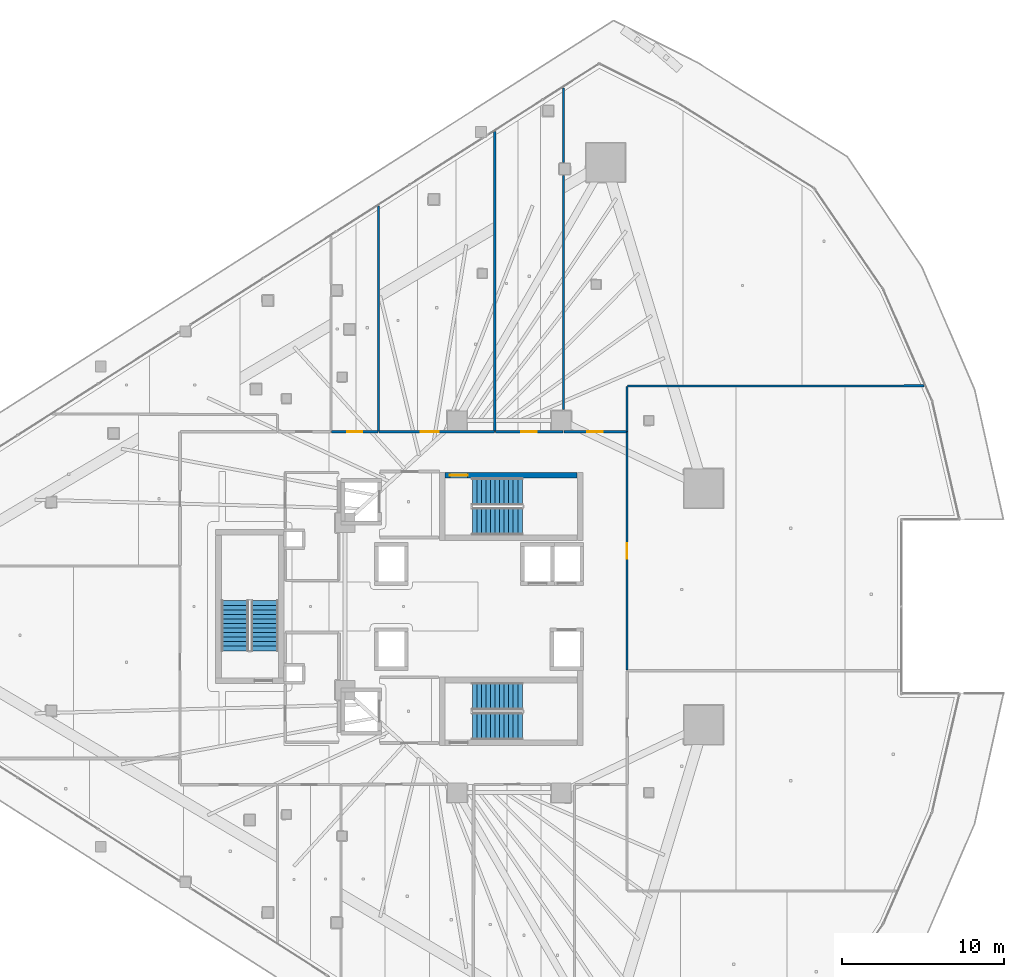
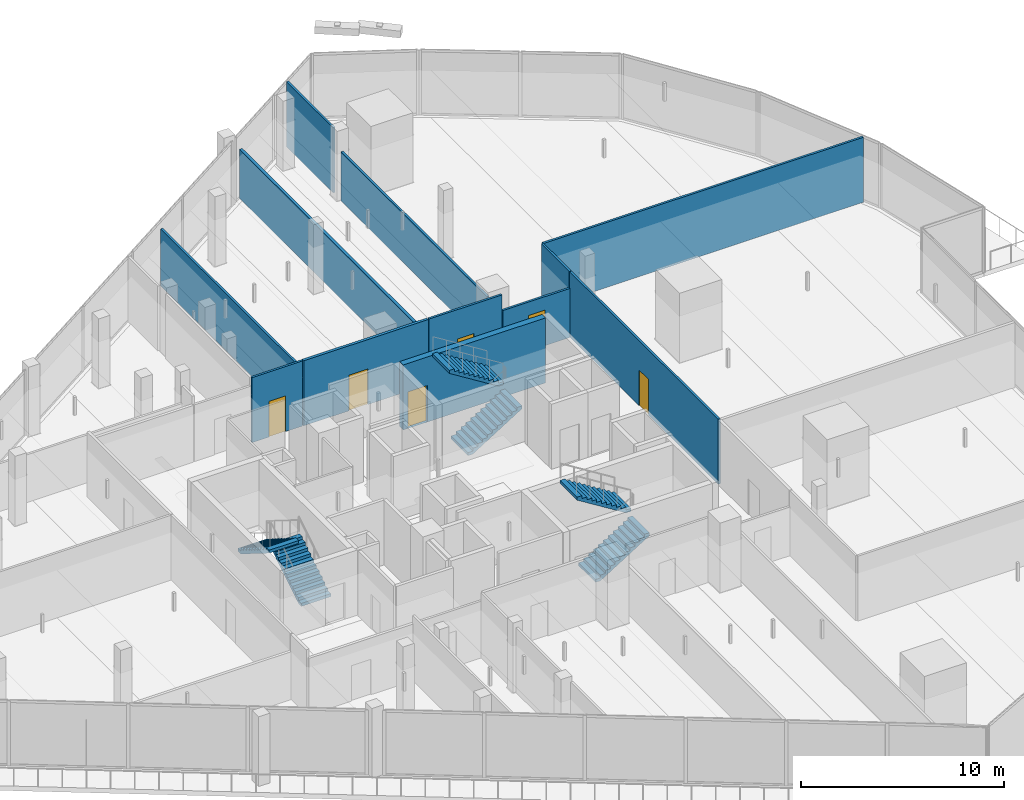
# One storey, part 30 of 44: 12 walls, 6 doors, 6 stair flights, 6 openings, 3 elements without a shape of their own.
"""IFC4 building model written with IfcOpenShell, lengths in metres."""

from ifc_helpers import new_model, si_unit, direction, frame, frame_2d, origin, place, context, subcontext, project, spatial, polyline, rectangle, outline, extrude, material, layer, layer_set, type_object, element, fill, aggregate, save


model = new_model("IFC4")

# Units and contexts
model_context = context("Model", 3, precision=1e-05, world=origin(), true_north=direction((0.0, 1.0)))
body_context = subcontext(model_context, "Body", "Model", "MODEL_VIEW")
ifc_project = project(units=[si_unit("LENGTHUNIT", "METRE"), si_unit("AREAUNIT", "SQUARE_METRE"), si_unit("VOLUMEUNIT", "CUBIC_METRE"), si_unit("PLANEANGLEUNIT", "RADIAN"), si_unit("MASSUNIT", "GRAM", prefix="KILO")], contexts=[model_context])

# Site, building, storey
site_placement = place(None, origin())
site = spatial("IfcSite", under=ifc_project, at=site_placement, CompositionType="ELEMENT")
building_placement = place(site_placement, origin())
building = spatial("IfcBuilding", under=site, at=building_placement, Name="Qorvath Tower", CompositionType="ELEMENT")
storey_placement = place(building_placement, frame((0.0, 0.0, 45.0)))
storey = spatial("IfcBuildingStorey", under=building, at=storey_placement, Name="L09", CompositionType="ELEMENT", Elevation=45.0)

# Wall, opening, door
ifc_material_1 = material(Name="Double acoustic gypsum board on steel studs", Category="steel")
ifc_layer_1 = layer(ifc_material_1, 0.159912109375)
ifc_layer_set_1 = layer_set([ifc_layer_1], Name="IW-ACOUSTIC-160")
wall_type_1 = type_object("IfcWallType", Name="IW-ACOUSTIC-160", PredefinedType="PARTITIONING", material=ifc_layer_set_1)
wall_1_placement = place(storey_placement, frame((-28.404296875, 10.758056640625, 0.0), z_axis=(0.0, 0.0, 1.0), x_axis=(1.0, 0.0, 0.0)))
wall_1 = element("IfcWall", 1, at=wall_1_placement, inside=storey, type_object=wall_type_1, Name="Interior Partition IW-T1-L09-024", PredefinedType="PARTITIONING", context=body_context, shape_type="SweptSolid", body=[
    extrude(rectangle(XDim=7.102294921875, YDim=0.159912109375, at=frame_2d((3.55126953125, 0.0))), origin(), (0.0, 0.0, 1.0), 3.919921875),
])
opening_1_placement = place(wall_1_placement, frame((2.572509765625, 0.0, 0.0)))
opening_1 = element("IfcOpeningElement", 2, at=opening_1_placement, cuts=wall_1, Name="Opening D-T1-L09-05", PredefinedType="OPENING", context=body_context, shape_type="SweptSolid", body=[
    extrude(rectangle(XDim=1.10009765625, YDim=2.14990234375, at=frame_2d((0.550048828125, 1.074951171875))), frame((0.0, 0.08984375, 0.0), z_axis=(0.0, -1.0, 0.0), x_axis=(1.0, 0.0, 0.0)), (0.0, 0.0, 1.0), 0.179931640625),
])
ifc_material_2 = material(Name="Anodised aluminium acoustic framed glass", Category="aluminium")
door_type_1 = type_object("IfcDoorType", Name="D-03", OperationType="NOTDEFINED", PredefinedType="DOOR", material=ifc_material_2)
door_1_placement = place(opening_1_placement, origin())
door_1 = element("IfcDoor", 3, at=door_1_placement, inside=storey, type_object=door_type_1, Name="L09-03 Client Services Office Door D-T1-L09-05", OperationType="SINGLE_SWING_RIGHT", OverallHeight=2.14990234375, OverallWidth=1.10009765625, PredefinedType="DOOR", context=body_context, shape_type="SweptSolid", body=[
    extrude(rectangle(XDim=1.10009765625, YDim=2.14990234375, at=frame_2d((0.550048828125, 1.074951171875))), frame((0.0, 0.02490234375, 0.0), z_axis=(0.0, -1.0, 0.0), x_axis=(1.0, 0.0, 0.0)), (0.0, 0.0, 1.0), 0.050048828125),
])
fill(opening_1, door_1)

# Wall
wall_2_placement = place(storey_placement, frame((-21.277099609375, 10.783203125, 0.0), z_axis=(0.0, 0.0, 1.0), x_axis=(-0.000172080584, 0.999999985194, 0.0)))
element("IfcWall", 4, at=wall_2_placement, inside=storey, type_object=wall_type_1, Name="Interior Partition IW-T1-L09-025", PredefinedType="PARTITIONING", context=body_context, shape_type="SweptSolid", body=[
    extrude(rectangle(XDim=18.44384765625, YDim=0.159912109375, at=frame_2d((9.221923828125, 0.0))), origin(), (0.0, 0.0, 1.0), 2.956787109375),
])

# Wall, opening, door
ifc_material_3 = material(Name="Gypsum board on metal studs with mineral wool", Category="gypsum")
ifc_layer_2 = layer(ifc_material_3, 0.125)
ifc_layer_set_2 = layer_set([ifc_layer_2], Name="IW-PART-125")
wall_type_2 = type_object("IfcWallType", Name="IW-PART-125", PredefinedType="PARTITIONING", material=ifc_layer_set_2)
wall_3_placement = place(storey_placement, frame((-31.343017578125, 10.758056640625, 0.0), z_axis=(0.0, 0.0, 1.0), x_axis=(1.0, 0.0, 0.0)))
wall_3 = element("IfcWall", 5, at=wall_3_placement, inside=storey, type_object=wall_type_2, Name="Interior Partition IW-T1-L09-022", PredefinedType="PARTITIONING", context=body_context, shape_type="SweptSolid", body=[
    extrude(rectangle(XDim=2.880615234375, YDim=0.125, at=frame_2d((1.4404296875, 0.0))), origin(), (0.0, 0.0, 1.0), 3.919921875),
])
opening_2_placement = place(wall_3_placement, frame((0.96533203125, 0.0, 0.0)))
opening_2 = element("IfcOpeningElement", 6, at=opening_2_placement, cuts=wall_3, Name="Opening D-T1-L09-04", PredefinedType="OPENING", context=body_context, shape_type="SweptSolid", body=[
    extrude(rectangle(XDim=0.949951171875, YDim=2.14990234375, at=frame_2d((0.47509765625, 1.074951171875))), frame((0.0, 0.072509765625, 0.0), z_axis=(0.0, -1.0, 0.0), x_axis=(1.0, 0.0, 0.0)), (0.0, 0.0, 1.0), 0.14501953125),
])
ifc_material_4 = material(Name="Solid-core American white oak veneer", Category="wood")
door_type_2 = type_object("IfcDoorType", Name="D-01", OperationType="NOTDEFINED", PredefinedType="DOOR", material=ifc_material_4)
door_2_placement = place(opening_2_placement, origin())
door_2 = element("IfcDoor", 7, at=door_2_placement, inside=storey, type_object=door_type_2, Name="L09-02 Staff Refreshment Pantry and Coffee Bar Door D-T1-L09-04", OperationType="SINGLE_SWING_LEFT", OverallHeight=2.14990234375, OverallWidth=0.949951171875, PredefinedType="DOOR", context=body_context, shape_type="SweptSolid", body=[
    extrude(rectangle(XDim=0.949951171875, YDim=2.14990234375, at=frame_2d((0.47509765625, 1.074951171875))), frame((0.0, 0.02490234375, 0.0), z_axis=(0.0, -1.0, 0.0), x_axis=(1.0, 0.0, 0.0)), (0.0, 0.0, 1.0), 0.050048828125),
])
fill(opening_2, door_2)

# Wall
wall_4_placement = place(storey_placement, frame((-28.4375, 10.783203125, 0.0), z_axis=(0.0, 0.0, 1.0), x_axis=(0.0, 1.0, 0.0)))
element("IfcWall", 8, at=wall_4_placement, inside=storey, type_object=wall_type_2, Name="Interior Partition IW-T1-L09-023", PredefinedType="PARTITIONING", context=body_context, shape_type="SweptSolid", body=[
    extrude(rectangle(XDim=13.869384765625, YDim=0.125, at=frame_2d((6.9345703125, 0.0))), origin(), (0.0, 0.0, 1.0), 3.432861328125),
])

# Wall, opening, door
wall_5_placement = place(storey_placement, frame((-21.243896484375, 10.758056640625, 0.0), z_axis=(0.0, 0.0, 1.0), x_axis=(1.0, 0.0, 0.0)))
wall_5 = element("IfcWall", 9, at=wall_5_placement, inside=storey, type_object=wall_type_2, Name="Interior Partition IW-T1-L09-026", PredefinedType="PARTITIONING", context=body_context, shape_type="SweptSolid", body=[
    extrude(rectangle(XDim=4.150146484375, YDim=0.125, at=frame_2d((2.0751953125, 0.0))), origin(), (0.0, 0.0, 1.0), 3.919921875),
])
opening_3_placement = place(wall_5_placement, frame((1.60009765625, 0.0, 0.0)))
opening_3 = element("IfcOpeningElement", 10, at=opening_3_placement, cuts=wall_5, Name="Opening D-T1-L09-06", PredefinedType="OPENING", context=body_context, shape_type="SweptSolid", body=[
    extrude(rectangle(XDim=0.949951171875, YDim=2.14990234375, at=frame_2d((0.47509765625, 1.074951171875))), frame((0.0, 0.072509765625, 0.0), z_axis=(0.0, -1.0, 0.0), x_axis=(1.0, 0.0, 0.0)), (0.0, 0.0, 1.0), 0.14501953125),
])
door_3_placement = place(opening_3_placement, origin())
door_3 = element("IfcDoor", 11, at=door_3_placement, inside=storey, type_object=door_type_2, Name="L09-04 Staff Wellness Studio Door D-T1-L09-06", OperationType="SINGLE_SWING_LEFT", OverallHeight=2.14990234375, OverallWidth=0.949951171875, PredefinedType="DOOR", context=body_context, shape_type="SweptSolid", body=[
    extrude(rectangle(XDim=0.949951171875, YDim=2.14990234375, at=frame_2d((0.47509765625, 1.074951171875))), frame((0.0, 0.02490234375, 0.0), z_axis=(0.0, -1.0, 0.0), x_axis=(1.0, 0.0, 0.0)), (0.0, 0.0, 1.0), 0.050048828125),
])
fill(opening_3, door_3)

# Walls
wall_6_placement = place(storey_placement, frame((-17.06884765625, 12.114990234375, 0.0), z_axis=(0.0, 0.0, 1.0), x_axis=(0.0, 1.0, 0.0)))
element("IfcWall", 12, at=wall_6_placement, inside=storey, type_object=wall_type_2, Name="Interior Partition IW-T1-L09-027", PredefinedType="PARTITIONING", context=body_context, shape_type="SweptSolid", body=[
    extrude(rectangle(XDim=14.42431640625, YDim=0.125, at=frame_2d((7.212158203125, 0.0))), origin(), (0.0, 0.0, 1.0), 2.956787109375),
])
wall_7_placement = place(storey_placement, frame((-17.06884765625, 27.319091796875, 0.0), z_axis=(0.0, 0.0, 1.0), x_axis=(0.0, 1.0, 0.0)))
element("IfcWall", 13, at=wall_7_placement, inside=storey, type_object=wall_type_2, Name="Interior Partition IW-T1-L09-028", PredefinedType="PARTITIONING", context=body_context, shape_type="SweptSolid", body=[
    extrude(rectangle(XDim=4.599609375, YDim=0.125, at=frame_2d((2.2998046875, 0.0))), origin(), (0.0, 0.0, 1.0), 3.919921875),
])

# Wall, opening, door
wall_8_placement = place(storey_placement, frame((-17.035888671875, 10.758056640625, 0.0), z_axis=(0.0, 0.0, 1.0), x_axis=(1.0, 0.0, 0.0)))
wall_8 = element("IfcWall", 14, at=wall_8_placement, inside=storey, type_object=wall_type_2, Name="Interior Partition IW-T1-L09-029", PredefinedType="PARTITIONING", context=body_context, shape_type="SweptSolid", body=[
    extrude(rectangle(XDim=3.861083984375, YDim=0.125, at=frame_2d((1.9306640625, 0.0))), origin(), (0.0, 0.0, 1.0), 2.956787109375),
])
opening_4_placement = place(wall_8_placement, frame((1.45556640625, 0.0, 0.0)))
opening_4 = element("IfcOpeningElement", 15, at=opening_4_placement, cuts=wall_8, Name="Opening D-T1-L09-07", PredefinedType="OPENING", context=body_context, shape_type="SweptSolid", body=[
    extrude(rectangle(XDim=0.949951171875, YDim=2.14990234375, at=frame_2d((0.47509765625, 1.074951171875))), frame((0.0, 0.072509765625, 0.0), z_axis=(0.0, -1.0, 0.0), x_axis=(1.0, 0.0, 0.0)), (0.0, 0.0, 1.0), 0.14501953125),
])
door_4_placement = place(opening_4_placement, origin())
door_4 = element("IfcDoor", 16, at=door_4_placement, inside=storey, type_object=door_type_2, Name="L09-05 Design Pin-Up Atelier Door D-T1-L09-07", OperationType="SINGLE_SWING_RIGHT", OverallHeight=2.14990234375, OverallWidth=0.949951171875, PredefinedType="DOOR", context=body_context, shape_type="SweptSolid", body=[
    extrude(rectangle(XDim=0.949951171875, YDim=2.14990234375, at=frame_2d((0.47509765625, 1.074951171875))), frame((0.0, 0.02490234375, 0.0), z_axis=(0.0, -1.0, 0.0), x_axis=(1.0, 0.0, 0.0)), (0.0, 0.0, 1.0), 0.050048828125),
])
fill(opening_4, door_4)

# Walls
wall_9_placement = place(storey_placement, frame((-13.14990234375, 13.5419921875, 0.0), z_axis=(0.0, 0.0, 1.0), x_axis=(0.0, -1.0, 0.0)))
element("IfcWall", 17, at=wall_9_placement, inside=storey, type_object=wall_type_2, Name="Interior Partition IW-T1-L09-030", PredefinedType="PARTITIONING", context=body_context, shape_type="SweptSolid", body=[
    extrude(rectangle(XDim=2.7587890625, YDim=0.125, at=frame_2d((1.37939453125, 0.0))), origin(), (0.0, 0.0, 1.0), 3.919921875),
])
wall_10_placement = place(storey_placement, frame((-13.125, 13.56689453125, 0.0), z_axis=(0.0, 0.0, 1.0), x_axis=(0.999999244284, 0.001229403211, 0.0)))
element("IfcWall", 18, at=wall_10_placement, inside=storey, type_object=wall_type_2, Name="Interior Partition IW-T1-L09-031", PredefinedType="PARTITIONING", context=body_context, shape_type="SweptSolid", body=[
    extrude(rectangle(XDim=18.269775390625, YDim=0.125, at=frame_2d((9.134765625, 0.0))), origin(), (0.0, 0.0, 1.0), 3.919921875),
])

# Wall, opening, door
wall_11_placement = place(storey_placement, frame((-13.14208984375, 10.75830078125, 0.0), z_axis=(0.0, 0.0, 1.0), x_axis=(0.0, -1.0, 0.0)))
wall_11 = element("IfcWall", 19, at=wall_11_placement, inside=storey, type_object=wall_type_2, Name="Interior Partition IW-T1-L09-046", PredefinedType="PARTITIONING", context=body_context, shape_type="SweptSolid", body=[
    extrude(rectangle(XDim=14.66650390625, YDim=0.125, at=frame_2d((7.333251953125, 0.0))), origin(), (0.0, 0.0, 1.0), 3.919921875),
])
opening_5_placement = place(wall_11_placement, frame((6.858154296875, 0.0, 0.0)))
opening_5 = element("IfcOpeningElement", 20, at=opening_5_placement, cuts=wall_11, Name="Opening D-T1-L09-13", PredefinedType="OPENING", context=body_context, shape_type="SweptSolid", body=[
    extrude(rectangle(XDim=0.949951171875, YDim=2.14990234375, at=frame_2d((0.47509765625, 1.074951171875))), frame((0.0, 0.072509765625, 0.0), z_axis=(0.0, -1.0, 0.0), x_axis=(1.0, 0.0, 0.0)), (0.0, 0.0, 1.0), 0.14501953125),
])
door_5_placement = place(opening_5_placement, origin())
door_5 = element("IfcDoor", 21, at=door_5_placement, inside=storey, type_object=door_type_2, Name="L09-11 Focus Collaboration Pod Door D-T1-L09-13", OperationType="SINGLE_SWING_RIGHT", OverallHeight=2.14990234375, OverallWidth=0.949951171875, PredefinedType="DOOR", context=body_context, shape_type="SweptSolid", body=[
    extrude(rectangle(XDim=0.949951171875, YDim=2.14990234375, at=frame_2d((0.47509765625, 1.074951171875))), frame((0.0, 0.02490234375, 0.0), z_axis=(0.0, -1.0, 0.0), x_axis=(1.0, 0.0, 0.0)), (0.0, 0.0, 1.0), 0.050048828125),
])
fill(opening_5, door_5)

ifc_material_5 = material(Name="Concrete C60/75", Category="concrete")
ifc_layer_3 = layer(ifc_material_5, 0.35009765625)
ifc_layer_set_3 = layer_set([ifc_layer_3], Name="SW-STAIR")
wall_type_3 = type_object("IfcWallType", Name="SW-STAIR", PredefinedType="SHEAR", material=ifc_layer_set_3)
wall_12_placement = place(storey_placement, frame((-16.215087890625, 8.0849609375, 0.0), z_axis=(0.0, 0.0, 1.0), x_axis=(-1.0, 0.0, 0.0)))
wall_12 = element("IfcWall", 22, at=wall_12_placement, inside=storey, type_object=wall_type_3, Name="Stair TS1 Shear Wall L09 RIGHT", PredefinedType="SHEAR", context=body_context, shape_type="SweptSolid", body=[
    extrude(rectangle(XDim=8.119873046875, YDim=0.35009765625, at=frame_2d((4.06005859375, 0.0))), origin(), (0.0, 0.0, 1.0), 3.919921875),
])
opening_6_placement = place(wall_12_placement, frame((6.739990234375, 0.0, 0.0)))
opening_6 = element("IfcOpeningElement", 23, at=opening_6_placement, cuts=wall_12, Name="Opening D-TS1-L09", PredefinedType="OPENING", context=body_context, shape_type="SweptSolid", body=[
    extrude(rectangle(XDim=1.10009765625, YDim=2.199951171875, at=frame_2d((0.550048828125, 1.10009765625))), frame((0.0, 0.18505859375, 0.0), z_axis=(0.0, -1.0, 0.0), x_axis=(1.0, 0.0, 0.0)), (0.0, 0.0, 1.0), 0.3701171875),
])
ifc_material_6 = material(Name="Painted galvanised hollow metal", Category="steel")
door_type_3 = type_object("IfcDoorType", Name="FD-90", OperationType="NOTDEFINED", PredefinedType="DOOR", material=ifc_material_6)
door_6_placement = place(opening_6_placement, origin())
door_6 = element("IfcDoor", 24, at=door_6_placement, inside=storey, type_object=door_type_3, Name="Stair TS1 Fire Door L09", OperationType="SINGLE_SWING_RIGHT", OverallHeight=2.199951171875, OverallWidth=1.10009765625, PredefinedType="DOOR", context=body_context, shape_type="SweptSolid", body=[
    extrude(rectangle(XDim=1.10009765625, YDim=2.199951171875, at=frame_2d((0.550048828125, 1.10009765625))), frame((0.0, 0.02490234375, 0.0), z_axis=(0.0, -1.0, 0.0), x_axis=(1.0, 0.0, 0.0)), (0.0, 0.0, 1.0), 0.050048828125),
])
fill(opening_6, door_6)

# Stair, stair flights
ifc_material_7 = material(Name="Concrete C50/60", Category="concrete")
stair_type = type_object("IfcStairType", Name="ST-H420", PredefinedType="HALF_TURN_STAIR", material=ifc_material_7)
stair_1_placement = place(storey_placement, origin())
stair_1 = element("IfcStair", 25, at=stair_1_placement, inside=storey, type_object=stair_type, Name="L09 Tower Exit Stair 1", PredefinedType="HALF_TURN_STAIR")
ifc_material_8 = material(Name="Concrete C50/60", Category="concrete")
ifc_layer_4 = layer(ifc_material_8, 0.14990234375)
ifc_layer_set_4 = layer_set([ifc_layer_4], Name="SF-H420")
stair_flight_type = type_object("IfcStairFlightType", Name="SF-H420", PredefinedType="STRAIGHT", material=ifc_layer_set_4)
stair_flight_1_placement = place(storey_placement, frame((-22.669921875, 5.239990234375, 0.0), z_axis=(0.0, 0.0, 1.0), x_axis=(1.0, 0.0, 0.0)))
stair_flight_1 = element("IfcStairFlight", 26, at=stair_flight_1_placement, type_object=stair_flight_type, Name="TS1 flight 1", NumberOfRisers=12, NumberOfTreads=11, PredefinedType="STRAIGHT", RiserHeight=0.175, TreadLength=0.28, context=body_context, shape_type="SweptSolid", body=[
    extrude(outline(polyline([(0.0, 0.0), (0.0, 0.175048828125), (0.280029296875, 0.175048828125), (0.280029296875, 0.35009765625), (0.56005859375, 0.35009765625), (0.56005859375, 0.52490234375), (0.840087890625, 0.52490234375), (0.840087890625, 0.699951171875), (1.1201171875, 0.699951171875), (1.1201171875, 0.875), (1.39990234375, 0.875), (1.39990234375, 1.050048828125), (1.679931640625, 1.050048828125), (1.679931640625, 1.22509765625), (1.9599609375, 1.22509765625), (1.9599609375, 1.39990234375), (2.239990234375, 1.39990234375), (2.239990234375, 1.574951171875), (2.52001953125, 1.574951171875), (2.52001953125, 1.75), (2.800048828125, 1.75), (2.800048828125, 1.925048828125), (3.080078125, 1.925048828125), (3.080078125, 2.10009765625), (3.080078125, 1.748291015625), (0.28271484375, 0.0), (0.0, 0.0)])), frame((0.0, 0.83984375, 0.0), z_axis=(0.0, -1.0, 0.0), x_axis=(1.0, 0.0, 0.0)), (0.0, 0.0, 1.0), 1.679931640625),
])
stair_flight_2_placement = place(storey_placement, frame((-19.590087890625, 7.070068359375, 2.10009765625), z_axis=(0.0, 0.0, 1.0), x_axis=(-1.0, 0.0, 0.0)))
stair_flight_2 = element("IfcStairFlight", 27, at=stair_flight_2_placement, type_object=stair_flight_type, Name="TS1 flight 2", NumberOfRisers=12, NumberOfTreads=11, PredefinedType="STRAIGHT", RiserHeight=0.175, TreadLength=0.28, context=body_context, shape_type="SweptSolid", body=[
    extrude(outline(polyline([(0.0, 0.0), (0.0, 0.175048828125), (0.280029296875, 0.175048828125), (0.280029296875, 0.35009765625), (0.56005859375, 0.35009765625), (0.56005859375, 0.52490234375), (0.840087890625, 0.52490234375), (0.840087890625, 0.699951171875), (1.1201171875, 0.699951171875), (1.1201171875, 0.875), (1.39990234375, 0.875), (1.39990234375, 1.050048828125), (1.679931640625, 1.050048828125), (1.679931640625, 1.22509765625), (1.9599609375, 1.22509765625), (1.9599609375, 1.39990234375), (2.239990234375, 1.39990234375), (2.239990234375, 1.574951171875), (2.52001953125, 1.574951171875), (2.52001953125, 1.75), (2.800048828125, 1.75), (2.800048828125, 1.925048828125), (3.080078125, 1.925048828125), (3.080078125, 2.10009765625), (3.080078125, 1.748291015625), (0.28271484375, 0.0), (0.0, 0.0)])), frame((0.0, 0.83984375, 0.0), z_axis=(0.0, -1.0, 0.0), x_axis=(1.0, 0.0, 0.0)), (0.0, 0.0, 1.0), 1.679931640625),
])
aggregate(stair_1, [stair_flight_1, stair_flight_2])

stair_2_placement = place(storey_placement, origin())
stair_2 = element("IfcStair", 28, at=stair_2_placement, inside=storey, type_object=stair_type, Name="L09 Tower Exit Stair 2", PredefinedType="HALF_TURN_STAIR")
stair_flight_3_placement = place(storey_placement, frame((-22.669921875, -7.360107421875, 0.0), z_axis=(0.0, 0.0, 1.0), x_axis=(1.0, 0.0, 0.0)))
stair_flight_3 = element("IfcStairFlight", 29, at=stair_flight_3_placement, type_object=stair_flight_type, Name="TS2 flight 1", NumberOfRisers=12, NumberOfTreads=11, PredefinedType="STRAIGHT", RiserHeight=0.175, TreadLength=0.28, context=body_context, shape_type="SweptSolid", body=[
    extrude(outline(polyline([(0.0, 0.0), (0.0, 0.175048828125), (0.280029296875, 0.175048828125), (0.280029296875, 0.35009765625), (0.56005859375, 0.35009765625), (0.56005859375, 0.52490234375), (0.840087890625, 0.52490234375), (0.840087890625, 0.699951171875), (1.1201171875, 0.699951171875), (1.1201171875, 0.875), (1.39990234375, 0.875), (1.39990234375, 1.050048828125), (1.679931640625, 1.050048828125), (1.679931640625, 1.22509765625), (1.9599609375, 1.22509765625), (1.9599609375, 1.39990234375), (2.239990234375, 1.39990234375), (2.239990234375, 1.574951171875), (2.52001953125, 1.574951171875), (2.52001953125, 1.75), (2.800048828125, 1.75), (2.800048828125, 1.925048828125), (3.080078125, 1.925048828125), (3.080078125, 2.10009765625), (3.080078125, 1.748291015625), (0.28271484375, 0.0), (0.0, 0.0)])), frame((0.0, 0.83984375, 0.0), z_axis=(0.0, -1.0, 0.0), x_axis=(1.0, 0.0, 0.0)), (0.0, 0.0, 1.0), 1.679931640625),
])
stair_flight_4_placement = place(storey_placement, frame((-19.590087890625, -5.530029296875, 2.10009765625), z_axis=(0.0, 0.0, 1.0), x_axis=(-1.0, 0.0, 0.0)))
stair_flight_4 = element("IfcStairFlight", 30, at=stair_flight_4_placement, type_object=stair_flight_type, Name="TS2 flight 2", NumberOfRisers=12, NumberOfTreads=11, PredefinedType="STRAIGHT", RiserHeight=0.175, TreadLength=0.28, context=body_context, shape_type="SweptSolid", body=[
    extrude(outline(polyline([(0.0, 0.0), (0.0, 0.175048828125), (0.280029296875, 0.175048828125), (0.280029296875, 0.35009765625), (0.56005859375, 0.35009765625), (0.56005859375, 0.52490234375), (0.840087890625, 0.52490234375), (0.840087890625, 0.699951171875), (1.1201171875, 0.699951171875), (1.1201171875, 0.875), (1.39990234375, 0.875), (1.39990234375, 1.050048828125), (1.679931640625, 1.050048828125), (1.679931640625, 1.22509765625), (1.9599609375, 1.22509765625), (1.9599609375, 1.39990234375), (2.239990234375, 1.39990234375), (2.239990234375, 1.574951171875), (2.52001953125, 1.574951171875), (2.52001953125, 1.75), (2.800048828125, 1.75), (2.800048828125, 1.925048828125), (3.080078125, 1.925048828125), (3.080078125, 2.10009765625), (3.080078125, 1.748291015625), (0.28271484375, 0.0), (0.0, 0.0)])), frame((0.0, 0.83984375, 0.0), z_axis=(0.0, -1.0, 0.0), x_axis=(1.0, 0.0, 0.0)), (0.0, 0.0, 1.0), 1.679931640625),
])
aggregate(stair_2, [stair_flight_3, stair_flight_4])

stair_3_placement = place(storey_placement, origin())
stair_3 = element("IfcStair", 31, at=stair_3_placement, inside=storey, type_object=stair_type, Name="L09 Tower Exit Stair 3", PredefinedType="HALF_TURN_STAIR")
stair_flight_5_placement = place(storey_placement, frame((-35.43994140625, -2.719970703125, 0.0), z_axis=(0.0, 0.0, 1.0), x_axis=(0.0, 1.0, 0.0)))
stair_flight_5 = element("IfcStairFlight", 32, at=stair_flight_5_placement, type_object=stair_flight_type, Name="TS3 flight 1", NumberOfRisers=12, NumberOfTreads=11, PredefinedType="STRAIGHT", RiserHeight=0.175, TreadLength=0.28, context=body_context, shape_type="SweptSolid", body=[
    extrude(outline(polyline([(0.0, 0.0), (0.0, 0.175048828125), (0.280029296875, 0.175048828125), (0.280029296875, 0.35009765625), (0.56005859375, 0.35009765625), (0.56005859375, 0.52490234375), (0.840087890625, 0.52490234375), (0.840087890625, 0.699951171875), (1.1201171875, 0.699951171875), (1.1201171875, 0.875), (1.39990234375, 0.875), (1.39990234375, 1.050048828125), (1.679931640625, 1.050048828125), (1.679931640625, 1.22509765625), (1.9599609375, 1.22509765625), (1.9599609375, 1.39990234375), (2.239990234375, 1.39990234375), (2.239990234375, 1.574951171875), (2.52001953125, 1.574951171875), (2.52001953125, 1.75), (2.800048828125, 1.75), (2.800048828125, 1.925048828125), (3.080078125, 1.925048828125), (3.080078125, 2.10009765625), (3.080078125, 1.748291015625), (0.28271484375, 0.0), (0.0, 0.0)])), frame((0.0, 0.83984375, 0.0), z_axis=(0.0, -1.0, 0.0), x_axis=(1.0, 0.0, 0.0)), (0.0, 0.0, 1.0), 1.679931640625),
])
stair_flight_6_placement = place(storey_placement, frame((-37.27001953125, 0.360107421875, 2.10009765625), z_axis=(0.0, 0.0, 1.0), x_axis=(0.0, -1.0, 0.0)))
stair_flight_6 = element("IfcStairFlight", 33, at=stair_flight_6_placement, type_object=stair_flight_type, Name="TS3 flight 2", NumberOfRisers=12, NumberOfTreads=11, PredefinedType="STRAIGHT", RiserHeight=0.175, TreadLength=0.28, context=body_context, shape_type="SweptSolid", body=[
    extrude(outline(polyline([(0.0, 0.0), (0.0, 0.175048828125), (0.280029296875, 0.175048828125), (0.280029296875, 0.35009765625), (0.56005859375, 0.35009765625), (0.56005859375, 0.52490234375), (0.840087890625, 0.52490234375), (0.840087890625, 0.699951171875), (1.1201171875, 0.699951171875), (1.1201171875, 0.875), (1.39990234375, 0.875), (1.39990234375, 1.050048828125), (1.679931640625, 1.050048828125), (1.679931640625, 1.22509765625), (1.9599609375, 1.22509765625), (1.9599609375, 1.39990234375), (2.239990234375, 1.39990234375), (2.239990234375, 1.574951171875), (2.52001953125, 1.574951171875), (2.52001953125, 1.75), (2.800048828125, 1.75), (2.800048828125, 1.925048828125), (3.080078125, 1.925048828125), (3.080078125, 2.10009765625), (3.080078125, 1.748291015625), (0.28271484375, 0.0), (0.0, 0.0)])), frame((0.0, 0.83984375, 0.0), z_axis=(0.0, -1.0, 0.0), x_axis=(1.0, 0.0, 0.0)), (0.0, 0.0, 1.0), 1.679931640625),
])
aggregate(stair_3, [stair_flight_5, stair_flight_6])

save(model, "model.ifc")
